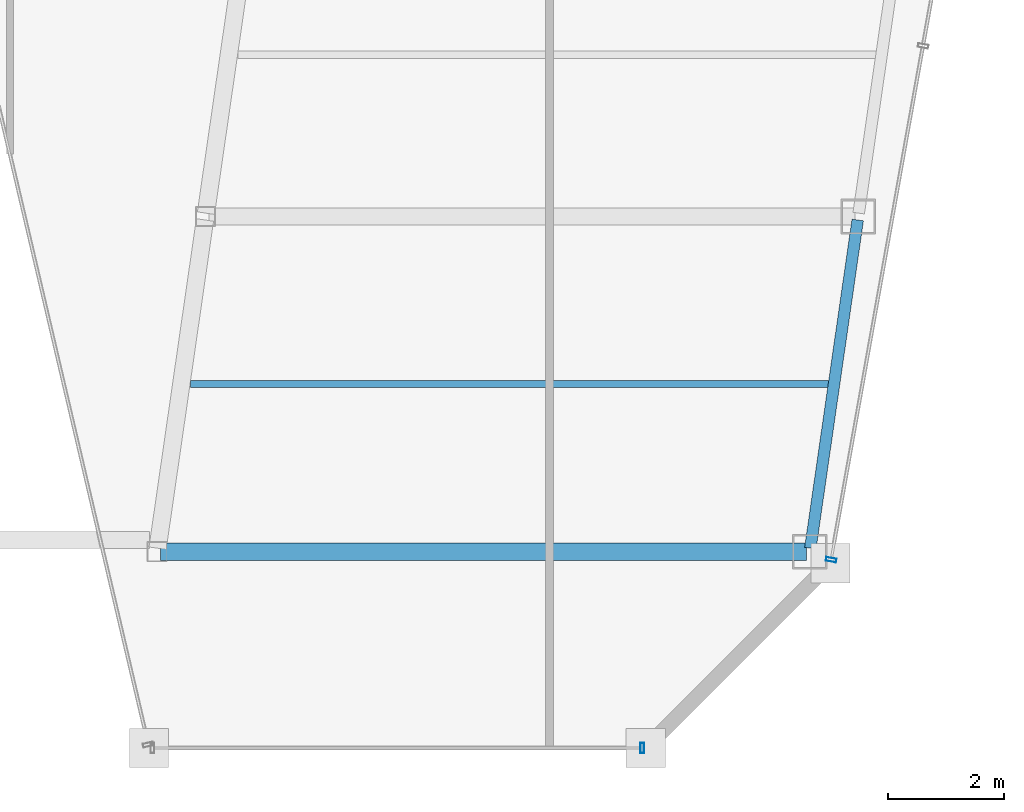
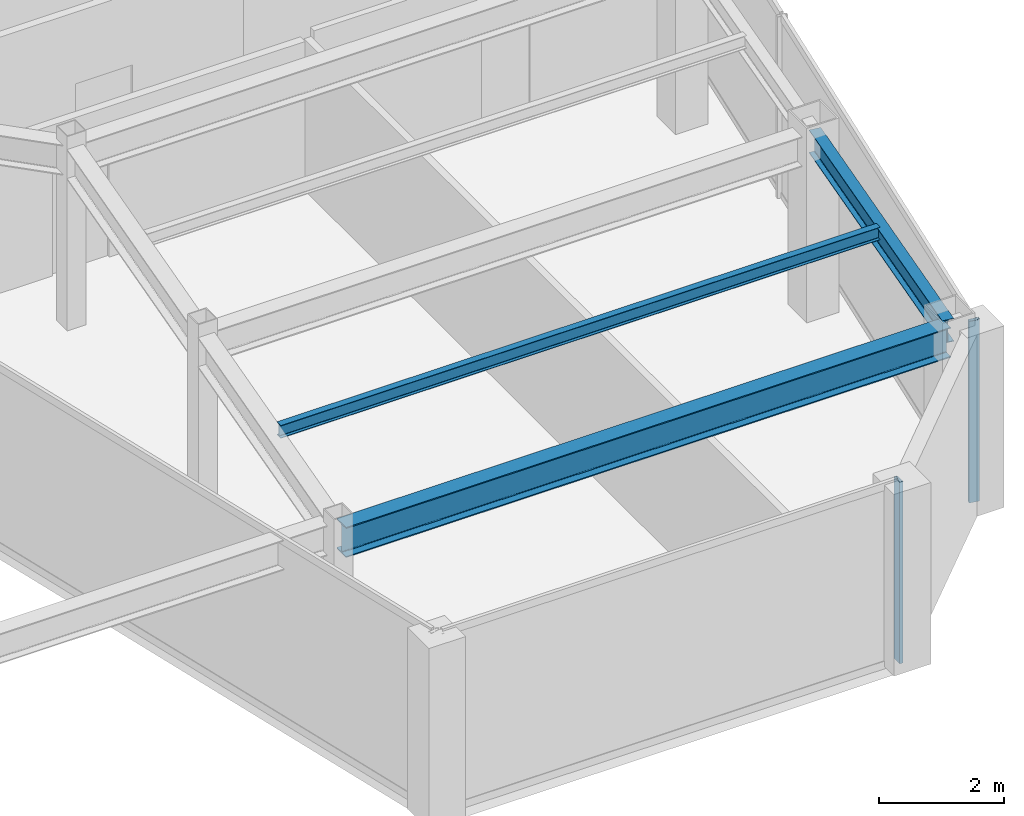
# One storey, part 14 of 32: 3 beams, 2 members, 2 elements without a shape of their own.
"""IFC4 building model written with IfcOpenShell, lengths in metres."""

from ifc_helpers import new_model, si_unit, direction, frame, origin, origin_2d, place, context, subcontext, project, spatial, hollow_rectangle, i_section, extrude, material, material_profile, profile_set, type_object, element, aggregate, save


model = new_model("IFC4")

# Units and contexts
model_context = context("Model", 3, precision=1e-05, world=origin(), true_north=direction((0.0, 1.0)))
body_context = subcontext(model_context, "Body", "Model", "MODEL_VIEW")
ifc_project = project(units=[si_unit("LENGTHUNIT", "METRE"), si_unit("AREAUNIT", "SQUARE_METRE"), si_unit("VOLUMEUNIT", "CUBIC_METRE"), si_unit("PLANEANGLEUNIT", "RADIAN"), si_unit("MASSUNIT", "GRAM", prefix="KILO")], contexts=[model_context])

# Site, building, storey
site_placement = place(None, origin())
site = spatial("IfcSite", under=ifc_project, at=site_placement, CompositionType="ELEMENT")
building_placement = place(site_placement, origin())
building = spatial("IfcBuilding", under=site, at=building_placement, Name="Saevonmaru Cultural Tower", CompositionType="ELEMENT")
storey_placement = place(building_placement, frame((0.0, 0.0, 264.800048828125)))
storey = spatial("IfcBuildingStorey", under=building, at=storey_placement, Name="L62", CompositionType="ELEMENT", Elevation=264.800048828125)

# Beams
ifc_material_1 = material(Name="Steel SM355", Category="steel")
ifc_material_profile_1 = material_profile(ifc_material_1, i_section(OverallWidth=0.300048828125, OverallDepth=0.587890625, WebThickness=0.011962890625, FlangeThickness=0.02001953125, FilletRadius=0.02392578125, at=origin_2d()), Name="H-588x300x12x20")
ifc_profile_set_1 = profile_set([ifc_material_profile_1], Name="Steel SM355")
beam_type_1 = type_object("IfcBeamType", Name="BM-G-H588", PredefinedType="BEAM", material=ifc_profile_set_1)
beam_1_placement = place(storey_placement, frame((39.60595703125, 26.199951171875, 3.255859375), z_axis=(1.0, 0.0, 0.0), x_axis=(0.0, 1.0, 0.0)))
element("IfcBeam", 1, at=beam_1_placement, inside=storey, type_object=beam_type_1, Name="L62 East Wing Transverse Girder 1", PredefinedType="BEAM", context=body_context, shape_type="SweptSolid", body=[
    extrude(i_section(OverallWidth=0.300048828125, OverallDepth=0.587890625, WebThickness=0.011962890625, FlangeThickness=0.02001953125, FilletRadius=0.02392578125, at=origin_2d()), origin(), (0.0, 0.0, 1.0), 11.179931640625),
])
ifc_material_profile_2 = material_profile(ifc_material_1, i_section(OverallWidth=0.125, OverallDepth=0.25, WebThickness=0.006103515625, FlangeThickness=0.009033203125, FilletRadius=0.008056640625, at=origin_2d()), Name="H-250x125x6x9")
ifc_profile_set_2 = profile_set([ifc_material_profile_2], Name="Steel SM355")
beam_type_2 = type_object("IfcBeamType", Name="BM-J-H250", PredefinedType="JOIST", material=ifc_profile_set_2)
beam_2_placement = place(storey_placement, frame((40.12255859375, 29.10009765625, 3.425048828125), z_axis=(1.0, 0.0, 0.0), x_axis=(0.0, 1.0, 0.0)))
element("IfcBeam", 2, at=beam_2_placement, inside=storey, type_object=beam_type_2, Name="L62 East Wing Floor Joist 1", PredefinedType="JOIST", context=body_context, shape_type="SweptSolid", body=[
    extrude(i_section(OverallWidth=0.125, OverallDepth=0.25, WebThickness=0.006103515625, FlangeThickness=0.009033203125, FilletRadius=0.008056640625, at=origin_2d()), origin(), (0.0, 0.0, 1.0), 11.08203125),
])
ifc_material_profile_3 = material_profile(ifc_material_1, i_section(OverallWidth=0.199951171875, OverallDepth=0.449951171875, WebThickness=0.009033203125, FlangeThickness=0.013916015625, FilletRadius=0.01806640625, at=origin_2d()), Name="H-450x200x9x14")
ifc_profile_set_3 = profile_set([ifc_material_profile_3], Name="Steel SM355")
beam_type_3 = type_object("IfcBeamType", Name="BM-SP-H450", PredefinedType="SPANDREL", material=ifc_profile_set_3)
beam_3_placement = place(storey_placement, frame((50.8544921875, 26.259521484375, 3.324951171875), z_axis=(0.142826510921, 0.989747739466, 0.0), x_axis=(-0.989747739466, 0.142826510921, 0.0)))
element("IfcBeam", 3, at=beam_3_placement, inside=storey, type_object=beam_type_3, Name="L62 East Splayed Spandrel 1", PredefinedType="SPANDREL", context=body_context, shape_type="SweptSolid", body=[
    extrude(i_section(OverallWidth=0.199951171875, OverallDepth=0.449951171875, WebThickness=0.009033203125, FlangeThickness=0.013916015625, FilletRadius=0.01806640625, at=origin_2d()), origin(), (0.0, 0.0, 1.0), 5.739990234375),
])

# Curtain wall, member
ifc_material_2 = material(Name="Satin Bronze Anodised Aluminium", Category="aluminium")
curtain_wall_type = type_object("IfcCurtainWallType", Name="CW-TYP-B", PredefinedType="NOTDEFINED", material=ifc_material_2)
curtain_wall_1_placement = place(storey_placement, origin())
curtain_wall_1 = element("IfcCurtainWall", 4, at=curtain_wall_1_placement, inside=storey, type_object=curtain_wall_type, Name="L62 Unitised Curtain Wall E6", PredefinedType="NOTDEFINED")
ifc_material_profile_4 = material_profile(ifc_material_2, hollow_rectangle(XDim=0.06494140625, YDim=0.179931640625, WallThickness=0.00390625, at=origin_2d()), Name="ALU-MULL-180x65x4")
ifc_profile_set_4 = profile_set([ifc_material_profile_4], Name="Satin Bronze Anodised Aluminium")
member_type = type_object("IfcMemberType", Name="ML-CW-180x65", PredefinedType="MULLION", material=ifc_profile_set_4)
member_1_placement = place(storey_placement, frame((47.9443359375, 22.800048828125, 0.0), z_axis=(0.0, 0.0, 1.0), x_axis=(1.0, 0.0, 0.0)))
member_1 = element("IfcMember", 5, at=member_1_placement, type_object=member_type, Name="CW-TW-L62-E6 mullion 2", PredefinedType="MULLION", context=body_context, shape_type="SweptSolid", body=[
    extrude(hollow_rectangle(XDim=0.06494140625, YDim=0.179931640625, WallThickness=0.00390625, at=origin_2d()), origin(), (0.0, 0.0, 1.0), 3.550048828125),
])
aggregate(curtain_wall_1, [member_1])

curtain_wall_2_placement = place(storey_placement, origin())
curtain_wall_2 = element("IfcCurtainWall", 6, at=curtain_wall_2_placement, inside=storey, type_object=curtain_wall_type, Name="L62 Unitised Curtain Wall E8", PredefinedType="NOTDEFINED")
member_2_placement = place(storey_placement, frame((51.215087890625, 26.05908203125, 0.0), z_axis=(0.0, 0.0, 1.0), x_axis=(0.176140740755, 0.984364993001, 0.0)))
member_2 = element("IfcMember", 7, at=member_2_placement, type_object=member_type, Name="CW-TW-L62-E8 mullion 1", PredefinedType="MULLION", context=body_context, shape_type="SweptSolid", body=[
    extrude(hollow_rectangle(XDim=0.06494140625, YDim=0.179931640625, WallThickness=0.00390625, at=origin_2d()), origin(), (0.0, 0.0, 1.0), 3.550048828125),
])
aggregate(curtain_wall_2, [member_2])

save(model, "model.ifc")
